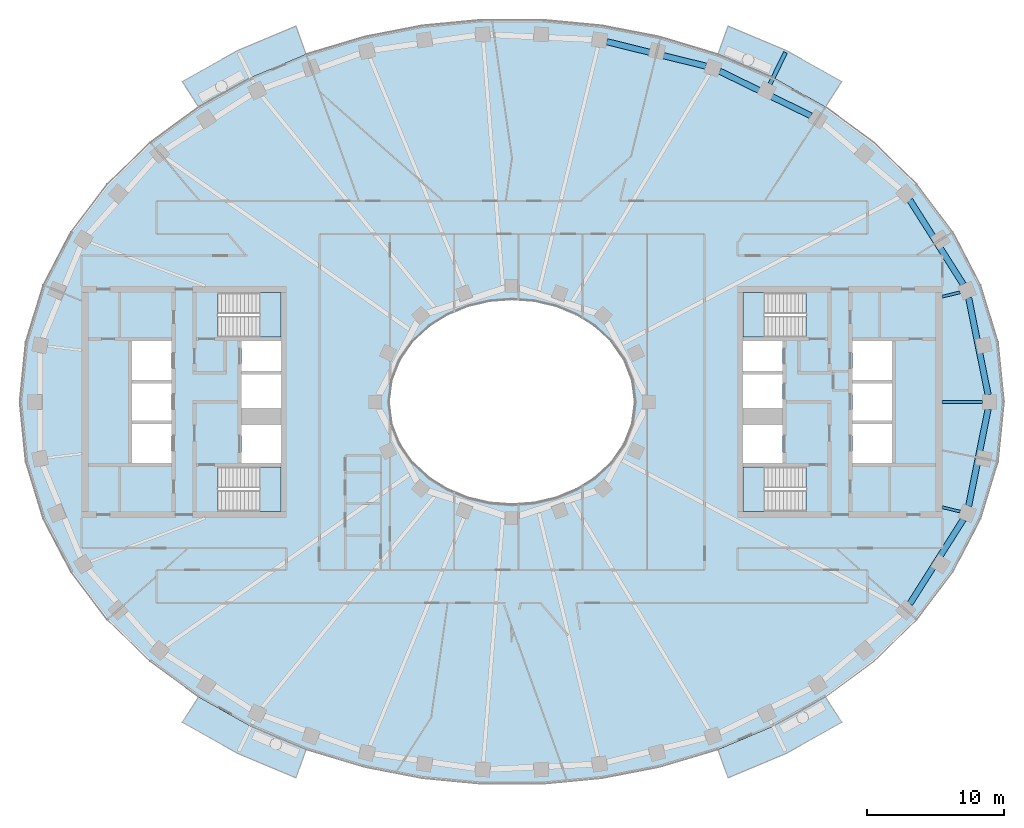
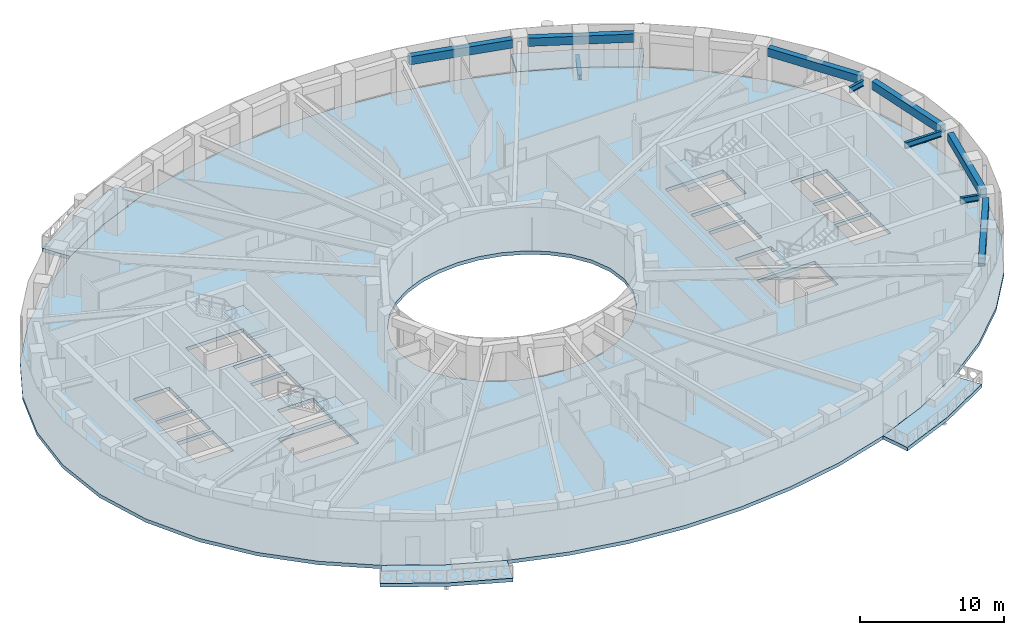
# One storey, part 2 of 15: 10 beams, 9 slabs, 4 elements without a shape of their own.
"""IFC4 building model written with IfcOpenShell, lengths in metres."""

from ifc_helpers import new_model, si_unit, direction, frame, origin, origin_2d, place, context, subcontext, project, spatial, polyline, rectangle, i_section, outline, extrude, material, layer, layer_set, material_profile, profile_set, type_object, element, aggregate, save


model = new_model("IFC4")

# Units and contexts
model_context = context("Model", 3, precision=1e-05, world=origin(), true_north=direction((0.0, 1.0)))
body_context = subcontext(model_context, "Body", "Model", "MODEL_VIEW")
ifc_project = project(units=[si_unit("LENGTHUNIT", "METRE"), si_unit("AREAUNIT", "SQUARE_METRE"), si_unit("VOLUMEUNIT", "CUBIC_METRE"), si_unit("PLANEANGLEUNIT", "RADIAN"), si_unit("MASSUNIT", "GRAM", prefix="KILO")], contexts=[model_context])

# Site, building, storey
site_placement = place(None, origin())
site = spatial("IfcSite", under=ifc_project, at=site_placement, CompositionType="ELEMENT")
building_placement = place(site_placement, origin())
building = spatial("IfcBuilding", under=site, at=building_placement, Name="Noorbagh Ring Tower", CompositionType="ELEMENT")
storey_placement = place(building_placement, frame((0.0, 0.0, 253.5)))
storey = spatial("IfcBuildingStorey", under=building, at=storey_placement, Name="L53", CompositionType="ELEMENT", Elevation=253.5)

# Beams
ifc_material_1 = material(Name="Steel S355", Category="steel")
ifc_material_profile_1 = material_profile(ifc_material_1, i_section(OverallWidth=0.300048828125, OverallDepth=0.39990234375, WebThickness=0.013427734375, FlangeThickness=0.02392578125, FilletRadius=0.027099609375, at=origin_2d()), Name="HEB400")
ifc_profile_set_1 = profile_set([ifc_material_profile_1], Name="Steel S355")
beam_type_1 = type_object("IfcBeamType", Name="STR-BALCONY-BRACKET-HEB400", PredefinedType="BEAM", material=ifc_profile_set_1)
beam_1_placement = place(storey_placement, frame((18.879150390625, 23.261474609375, -0.5), z_axis=(0.439232236699, 0.898373553843, 0.0), x_axis=(-0.898373553843, 0.439232236699, 0.0)))
element("IfcBeam", 1, at=beam_1_placement, inside=storey, type_object=beam_type_1, Name="Balcony bracket beam BN02", PredefinedType="BEAM", context=body_context, shape_type="SweptSolid", body=[
    extrude(i_section(OverallWidth=0.300048828125, OverallDepth=0.39990234375, WebThickness=0.013427734375, FlangeThickness=0.02392578125, FilletRadius=0.027099609375, at=origin_2d()), origin(), (0.0, 0.0, 1.0), 2.5751953125),
])
ifc_material_2 = material(Name="Steel S355", Category="steel")
ifc_material_profile_2 = material_profile(ifc_material_2, i_section(OverallWidth=0.199951171875, OverallDepth=0.5, WebThickness=0.01025390625, FlangeThickness=0.01611328125, FilletRadius=0.02099609375, at=origin_2d()), Name="IPE500")
ifc_profile_set_2 = profile_set([ifc_material_profile_2], Name="Steel S355")
beam_type_2 = type_object("IfcBeamType", Name="STR-RAD-IPE500", PredefinedType="BEAM", material=ifc_profile_set_2)
beam_2_placement = place(storey_placement, frame((34.414794921875, 0.0, 3.449951171875), z_axis=(-1.0, 0.0, 0.0), x_axis=(0.0, -1.0, 0.0)))
element("IfcBeam", 2, at=beam_2_placement, inside=storey, type_object=beam_type_2, Name="L53/bm/RD01", PredefinedType="BEAM", context=body_context, shape_type="SweptSolid", body=[
    extrude(i_section(OverallWidth=0.199951171875, OverallDepth=0.5, WebThickness=0.01025390625, FlangeThickness=0.01611328125, FilletRadius=0.02099609375, at=origin_2d()), origin(), (0.0, 0.0, 1.0), 2.934814453125),
])
for number, where, z_axis, x_axis, name in (
    (3, (32.784423828125, 8.02197265625, 3.449951171875), (-0.971339314725, -0.23769715116, 0.0), (0.23769715116, -0.971339314725, 0.0), "L53/bm/RD03"),
    (4, (32.784423828125, -8.02197265625, 3.449951171875), (-0.971339314725, 0.23769715116, 0.0), (-0.23769715116, -0.971339314725, 0.0), "L53/bm/RD45"),
):
    element("IfcBeam", number, at=place(storey_placement, frame(where, z_axis=z_axis, x_axis=x_axis)), inside=storey, type_object=beam_type_2, Name=name, PredefinedType="BEAM", context=body_context, shape_type="SweptSolid", body=[
        extrude(i_section(OverallWidth=0.199951171875, OverallDepth=0.5, WebThickness=0.01025390625, FlangeThickness=0.01611328125, FilletRadius=0.02099609375, at=origin_2d()), origin(), (0.0, 0.0, 1.0), 1.342529296875),
    ])
ifc_material_3 = material(Name="Concrete C40/50", Category="concrete")
ifc_material_profile_3 = material_profile(ifc_material_3, rectangle(XDim=0.449951171875, YDim=0.699951171875, at=origin_2d()), Name="RC450x700")
ifc_profile_set_3 = profile_set([ifc_material_profile_3], Name="Concrete C40/50")
beam_type_3 = type_object("IfcBeamType", Name="STR-SB-RC450x700-C40-50", PredefinedType="BEAM", material=ifc_profile_set_3)
beam_3_placement = place(storey_placement, frame((34.837890625, 0.5302734375, 3.35009765625), z_axis=(-0.197226195613, 0.980358009996, 0.0), x_axis=(-0.980358009996, -0.197226195613, 0.0)))
element("IfcBeam", 5, at=beam_3_placement, inside=storey, type_object=beam_type_3, Name="L53/bm/SP01", PredefinedType="BEAM", context=body_context, shape_type="SweptSolid", body=[
    extrude(rectangle(XDim=0.449951171875, YDim=0.699951171875, at=origin_2d()), origin(), (0.0, 0.0, 1.0), 7.231689453125),
])
beam_4_placement = place(storey_placement, frame((33.016845703125, 8.604248046875, 3.35009765625), z_axis=(-0.535181639591, 0.844737007977, 0.0), x_axis=(-0.844737007977, -0.535181639591, 0.0)))
element("IfcBeam", 6, at=beam_4_placement, inside=storey, type_object=beam_type_3, Name="L53/bm/SP03", PredefinedType="BEAM", context=body_context, shape_type="SweptSolid", body=[
    extrude(rectangle(XDim=0.449951171875, YDim=0.699951171875, at=origin_2d()), origin(), (0.0, 0.0, 1.0), 7.30712890625),
])
beam_5_placement = place(storey_placement, frame((21.88232421875, 20.934326171875, 3.35009765625), z_axis=(-0.898395566206, 0.43918721136, 0.0), x_axis=(-0.43918721136, -0.898395566206, 0.0)))
element("IfcBeam", 7, at=beam_5_placement, inside=storey, type_object=beam_type_3, Name="L53/bm/SP07", PredefinedType="BEAM", context=body_context, shape_type="SweptSolid", body=[
    extrude(rectangle(XDim=0.449951171875, YDim=0.699951171875, at=origin_2d()), origin(), (0.0, 0.0, 1.0), 7.45068359375),
])
beam_6_placement = place(storey_placement, frame((14.192138671875, 24.568603515625, 3.35009765625), z_axis=(-0.970829382675, 0.239771369713, 0.0), x_axis=(-0.239771369713, -0.970829382675, 0.0)))
element("IfcBeam", 8, at=beam_6_placement, inside=storey, type_object=beam_type_3, Name="L53/bm/SP09", PredefinedType="BEAM", context=body_context, shape_type="SweptSolid", body=[
    extrude(rectangle(XDim=0.449951171875, YDim=0.699951171875, at=origin_2d()), origin(), (0.0, 0.0, 1.0), 7.48388671875),
])
beam_7_placement = place(storey_placement, frame((29.106201171875, -14.77685546875, 3.35009765625), z_axis=(0.535181639591, 0.844737007977, 0.0), x_axis=(-0.844737007977, 0.535181639591, 0.0)))
element("IfcBeam", 9, at=beam_7_placement, inside=storey, type_object=beam_type_3, Name="L53/bm/SP43", PredefinedType="BEAM", context=body_context, shape_type="SweptSolid", body=[
    extrude(rectangle(XDim=0.449951171875, YDim=0.699951171875, at=origin_2d()), origin(), (0.0, 0.0, 1.0), 7.30712890625),
])
beam_8_placement = place(storey_placement, frame((33.41162109375, -7.619873046875, 3.35009765625), z_axis=(0.197226195613, 0.980358009996, 0.0), x_axis=(-0.980358009996, 0.197226195613, 0.0)))
element("IfcBeam", 10, at=beam_8_placement, inside=storey, type_object=beam_type_3, Name="L53/bm/SP45", PredefinedType="BEAM", context=body_context, shape_type="SweptSolid", body=[
    extrude(rectangle(XDim=0.449951171875, YDim=0.699951171875, at=origin_2d()), origin(), (0.0, 0.0, 1.0), 7.231689453125),
])

# Stair, slab
ifc_material_4 = material(Name="Concrete C40/50", Category="concrete")
stair_type = type_object("IfcStairType", Name="CORE-STAIR", PredefinedType="HALF_TURN_STAIR", material=ifc_material_4)
stair_1_placement = place(storey_placement, origin())
stair_1 = element("IfcStair", 11, at=stair_1_placement, inside=storey, type_object=stair_type, Name="L53 Exit stair ST1", PredefinedType="HALF_TURN_STAIR")
ifc_material_5 = material(Name="Concrete C40/50", Category="concrete")
ifc_layer_1 = layer(ifc_material_5, 0.300048828125)
ifc_layer_set_1 = layer_set([ifc_layer_1], Name="Concrete C40/50")
slab_type_1 = type_object("IfcSlabType", Name="CORE-STAIR-LANDING", PredefinedType="LANDING", material=ifc_layer_set_1)
slab_1_placement = place(storey_placement, frame((0.0, 0.0, 1.699951171875)))
slab_1 = element("IfcSlab", 12, at=slab_1_placement, type_object=slab_type_1, Name="ST1 landing 1", PredefinedType="LANDING", context=body_context, shape_type="SweptSolid", body=[
    extrude(outline(polyline([(-18.449951171875, 4.75), (-16.89990234375, 4.75), (-16.89990234375, 8.0), (-18.449951171875, 8.0), (-18.449951171875, 4.75)])), origin(), (0.0, 0.0, 1.0), 0.300048828125),
])
aggregate(stair_1, [slab_1])

stair_2_placement = place(storey_placement, origin())
stair_2 = element("IfcStair", 13, at=stair_2_placement, inside=storey, type_object=stair_type, Name="L53 Exit stair ST2", PredefinedType="HALF_TURN_STAIR")
slab_2_placement = place(storey_placement, frame((0.0, 0.0, 1.699951171875)))
slab_2 = element("IfcSlab", 14, at=slab_2_placement, type_object=slab_type_1, Name="ST2 landing 1", PredefinedType="LANDING", context=body_context, shape_type="SweptSolid", body=[
    extrude(outline(polyline([(-18.449951171875, -8.0), (-16.89990234375, -8.0), (-16.89990234375, -4.75), (-18.449951171875, -4.75), (-18.449951171875, -8.0)])), origin(), (0.0, 0.0, 1.0), 0.300048828125),
])
aggregate(stair_2, [slab_2])

stair_3_placement = place(storey_placement, origin())
stair_3 = element("IfcStair", 15, at=stair_3_placement, inside=storey, type_object=stair_type, Name="L53 Exit stair ST3", PredefinedType="HALF_TURN_STAIR")
slab_3_placement = place(storey_placement, frame((0.0, 0.0, 1.699951171875)))
slab_3 = element("IfcSlab", 16, at=slab_3_placement, type_object=slab_type_1, Name="ST3 landing 1", PredefinedType="LANDING", context=body_context, shape_type="SweptSolid", body=[
    extrude(outline(polyline([(18.449951171875, 8.0), (16.89990234375, 8.0), (16.89990234375, 4.75), (18.449951171875, 4.75), (18.449951171875, 8.0)])), origin(), (0.0, 0.0, 1.0), 0.300048828125),
])
aggregate(stair_3, [slab_3])

stair_4_placement = place(storey_placement, origin())
stair_4 = element("IfcStair", 17, at=stair_4_placement, inside=storey, type_object=stair_type, Name="L53 Exit stair ST4", PredefinedType="HALF_TURN_STAIR")
slab_4_placement = place(storey_placement, frame((0.0, 0.0, 1.699951171875)))
slab_4 = element("IfcSlab", 18, at=slab_4_placement, type_object=slab_type_1, Name="ST4 landing 1", PredefinedType="LANDING", context=body_context, shape_type="SweptSolid", body=[
    extrude(outline(polyline([(18.449951171875, -4.75), (16.89990234375, -4.75), (16.89990234375, -8.0), (18.449951171875, -8.0), (18.449951171875, -4.75)])), origin(), (0.0, 0.0, 1.0), 0.300048828125),
])
aggregate(stair_4, [slab_4])

# Slabs
ifc_material_6 = material(Name="Concrete C40/50", Category="concrete")
ifc_layer_2 = layer(ifc_material_6, 0.300048828125)
ifc_layer_set_2 = layer_set([ifc_layer_2], Name="Concrete C40/50")
slab_type_2 = type_object("IfcSlabType", Name="ENV-BALCONY DECK 300", PredefinedType="FLOOR", material=ifc_layer_set_2)
slab_5_placement = place(storey_placement, frame((0.0, 0.0, -0.300048828125)))
element("IfcSlab", 19, at=slab_5_placement, inside=storey, type_object=slab_type_2, Name="Tree balcony deck BN02", PredefinedType="FLOOR", context=body_context, shape_type="SweptSolid", body=[
    extrude(outline(polyline([(24.1279296875, 23.435791015625), (20.076171875, 25.709716796875), (15.810791015625, 27.50341796875), (15.0654296875, 25.430419921875), (19.108154296875, 23.730224609375), (22.9326171875, 21.583740234375), (24.1279296875, 23.435791015625)])), origin(), (0.0, 0.0, 1.0), 0.300048828125),
])
slab_6_placement = place(storey_placement, frame((0.0, 0.0, -0.300048828125)))
element("IfcSlab", 20, at=slab_6_placement, inside=storey, type_object=slab_type_2, Name="Tree balcony deck BN05", PredefinedType="FLOOR", context=body_context, shape_type="SweptSolid", body=[
    extrude(outline(polyline([(-15.810791015625, 27.50341796875), (-20.076171875, 25.709716796875), (-24.1279296875, 23.435791015625), (-22.9326171875, 21.583740234375), (-19.108154296875, 23.730224609375), (-15.0654296875, 25.430419921875), (-15.810791015625, 27.50341796875)])), origin(), (0.0, 0.0, 1.0), 0.300048828125),
])
slab_7_placement = place(storey_placement, frame((0.0, 0.0, -0.300048828125)))
element("IfcSlab", 21, at=slab_7_placement, inside=storey, type_object=slab_type_2, Name="Tree balcony deck BS02", PredefinedType="FLOOR", context=body_context, shape_type="SweptSolid", body=[
    extrude(outline(polyline([(-24.1279296875, -23.435791015625), (-20.076171875, -25.709716796875), (-15.810791015625, -27.50341796875), (-15.0654296875, -25.430419921875), (-19.108154296875, -23.730224609375), (-22.9326171875, -21.583740234375), (-24.1279296875, -23.435791015625)])), origin(), (0.0, 0.0, 1.0), 0.300048828125),
])
slab_8_placement = place(storey_placement, frame((0.0, 0.0, -0.300048828125)))
element("IfcSlab", 22, at=slab_8_placement, inside=storey, type_object=slab_type_2, Name="Tree balcony deck BS05", PredefinedType="FLOOR", context=body_context, shape_type="SweptSolid", body=[
    extrude(outline(polyline([(15.810791015625, -27.50341796875), (20.076171875, -25.709716796875), (24.1279296875, -23.435791015625), (22.9326171875, -21.583740234375), (19.108154296875, -23.730224609375), (15.0654296875, -25.430419921875), (15.810791015625, -27.50341796875)])), origin(), (0.0, 0.0, 1.0), 0.300048828125),
])
ifc_material_7 = material(Name="Concrete C40/50", Category="concrete")
ifc_layer_3 = layer(ifc_material_7, 0.300048828125)
ifc_layer_set_3 = layer_set([ifc_layer_3], Name="Concrete C40/50")
slab_type_3 = type_object("IfcSlabType", Name="STR-FLOOR-DECK-300", PredefinedType="FLOOR", material=ifc_layer_set_3)
slab_9_placement = place(storey_placement, frame((0.0, 0.0, -0.300048828125)))
element("IfcSlab", 23, at=slab_9_placement, inside=storey, type_object=slab_type_3, Name="L53/slab/1", PredefinedType="FLOOR", context=body_context, shape_type="SweptSolid", body=[
    extrude(outline(polyline([(36.0, 0.0), (35.56103515625, 4.358642578125), (34.281005859375, 8.548828125), (32.255126953125, 12.434814453125), (29.607666015625, 15.92822265625), (26.463134765625, 18.983154296875), (22.9326171875, 21.583740234375), (19.108154296875, 23.730224609375), (15.0654296875, 25.430419921875), (10.865234375, 26.6943359375), (6.5595703125, 27.53125), (2.193115234375, 27.947998046875), (-2.193115234375, 27.947998046875), (-6.5595703125, 27.53125), (-10.865234375, 26.6943359375), (-15.0654296875, 25.430419921875), (-19.108154296875, 23.730224609375), (-22.9326171875, 21.583740234375), (-26.463134765625, 18.983154296875), (-29.607666015625, 15.92822265625), (-32.255126953125, 12.434814453125), (-34.281005859375, 8.548828125), (-35.56103515625, 4.358642578125), (-36.0, 0.0), (-35.56103515625, -4.358642578125), (-34.281005859375, -8.548828125), (-32.255126953125, -12.434814453125), (-29.607666015625, -15.92822265625), (-26.463134765625, -18.983154296875), (-22.9326171875, -21.583740234375), (-19.108154296875, -23.730224609375), (-15.0654296875, -25.430419921875), (-10.865234375, -26.6943359375), (-6.5595703125, -27.53125), (-2.193115234375, -27.947998046875), (2.193115234375, -27.947998046875), (6.5595703125, -27.53125), (10.865234375, -26.6943359375), (15.0654296875, -25.430419921875), (19.108154296875, -23.730224609375), (22.9326171875, -21.583740234375), (26.463134765625, -18.983154296875), (29.607666015625, -15.92822265625), (32.255126953125, -12.434814453125), (34.281005859375, -8.548828125), (35.56103515625, -4.358642578125), (36.0, 0.0)]), holes=[polyline([(24.89990234375, 4.449951171875), (27.800048828125, 4.449951171875), (27.800048828125, 1.60009765625), (24.89990234375, 1.60009765625), (24.89990234375, 4.449951171875)]), polyline([(24.89990234375, 1.35009765625), (27.800048828125, 1.35009765625), (27.800048828125, -1.35009765625), (24.89990234375, -1.35009765625), (24.89990234375, 1.35009765625)]), polyline([(24.89990234375, -1.60009765625), (27.800048828125, -1.60009765625), (27.800048828125, -4.449951171875), (24.89990234375, -4.449951171875), (24.89990234375, -1.60009765625)]), polyline([(21.529541015625, -8.0), (16.89990234375, -8.0), (16.89990234375, -4.75), (21.529541015625, -4.75), (21.529541015625, -8.0)]), polyline([(16.89990234375, 4.75), (16.89990234375, 8.0), (21.529541015625, 8.0), (21.529541015625, 4.75), (16.89990234375, 4.75)]), polyline([(19.800048828125, 4.449951171875), (19.800048828125, 2.25), (16.89990234375, 2.25), (16.89990234375, 4.449951171875), (19.800048828125, 4.449951171875)]), polyline([(16.89990234375, 2.0), (19.800048828125, 2.0), (19.800048828125, -0.449951171875), (16.89990234375, -0.449951171875), (16.89990234375, 2.0)]), polyline([(16.89990234375, -1.699951171875), (19.800048828125, -1.699951171875), (19.800048828125, -4.449951171875), (16.89990234375, -4.449951171875), (16.89990234375, -1.699951171875)]), polyline([(4.697509765625, -6.3974609375), (3.196533203125, -7.010986328125), (1.6171875, -7.3779296875), (0.0, -7.5), (-1.6171875, -7.3779296875), (-3.196533203125, -7.010986328125), (-4.697509765625, -6.3974609375), (-6.071044921875, -5.53662109375), (-7.2587890625, -4.43408203125), (-8.1904296875, -3.10888671875), (-8.79150390625, -1.605224609375), (-9.0, 0.0), (-8.79150390625, 1.605224609375), (-8.1904296875, 3.10888671875), (-7.2587890625, 4.43408203125), (-6.071044921875, 5.53662109375), (-4.697509765625, 6.3974609375), (-3.196533203125, 7.010986328125), (-1.6171875, 7.3779296875), (0.0, 7.5), (1.6171875, 7.3779296875), (3.196533203125, 7.010986328125), (4.697509765625, 6.3974609375), (6.071044921875, 5.53662109375), (7.2587890625, 4.43408203125), (8.1904296875, 3.10888671875), (8.79150390625, 1.605224609375), (9.0, 0.0), (8.79150390625, -1.605224609375), (8.1904296875, -3.10888671875), (7.2587890625, -4.43408203125), (6.071044921875, -5.53662109375), (4.697509765625, -6.3974609375)]), polyline([(-16.89990234375, 2.25), (-19.800048828125, 2.25), (-19.800048828125, 4.449951171875), (-16.89990234375, 4.449951171875), (-16.89990234375, 2.25)]), polyline([(-16.89990234375, -0.449951171875), (-19.800048828125, -0.449951171875), (-19.800048828125, 2.0), (-16.89990234375, 2.0), (-16.89990234375, -0.449951171875)]), polyline([(-16.89990234375, -4.449951171875), (-19.800048828125, -4.449951171875), (-19.800048828125, -1.699951171875), (-16.89990234375, -1.699951171875), (-16.89990234375, -4.449951171875)]), polyline([(-21.529541015625, 8.0), (-16.89990234375, 8.0), (-16.89990234375, 4.75), (-21.529541015625, 4.75), (-21.529541015625, 8.0)]), polyline([(-21.529541015625, -4.75), (-16.89990234375, -4.75), (-16.89990234375, -8.0), (-21.529541015625, -8.0), (-21.529541015625, -4.75)]), polyline([(-24.89990234375, -4.449951171875), (-27.800048828125, -4.449951171875), (-27.800048828125, -1.60009765625), (-24.89990234375, -1.60009765625), (-24.89990234375, -4.449951171875)]), polyline([(-24.89990234375, 1.60009765625), (-27.800048828125, 1.60009765625), (-27.800048828125, 4.449951171875), (-24.89990234375, 4.449951171875), (-24.89990234375, 1.60009765625)]), polyline([(-24.89990234375, -1.35009765625), (-27.800048828125, -1.35009765625), (-27.800048828125, 1.35009765625), (-24.89990234375, 1.35009765625), (-24.89990234375, -1.35009765625)])]), origin(), (0.0, 0.0, 1.0), 0.300048828125),
])

save(model, "model.ifc")
